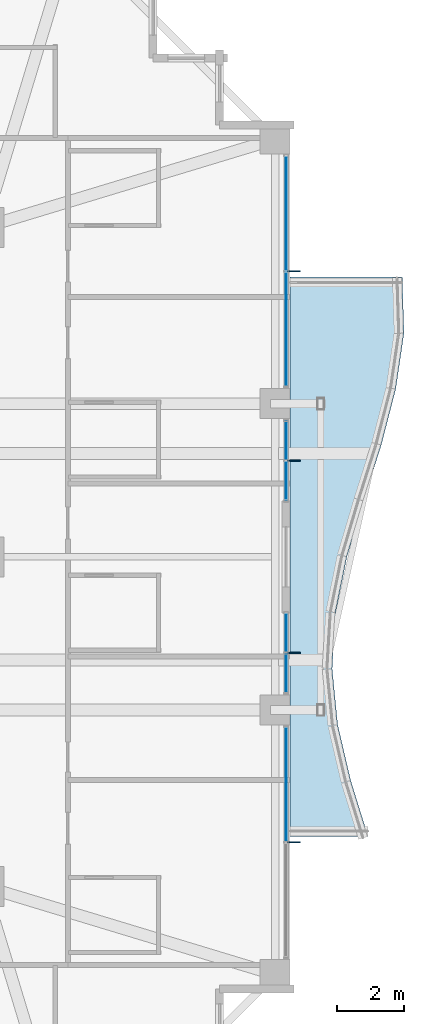
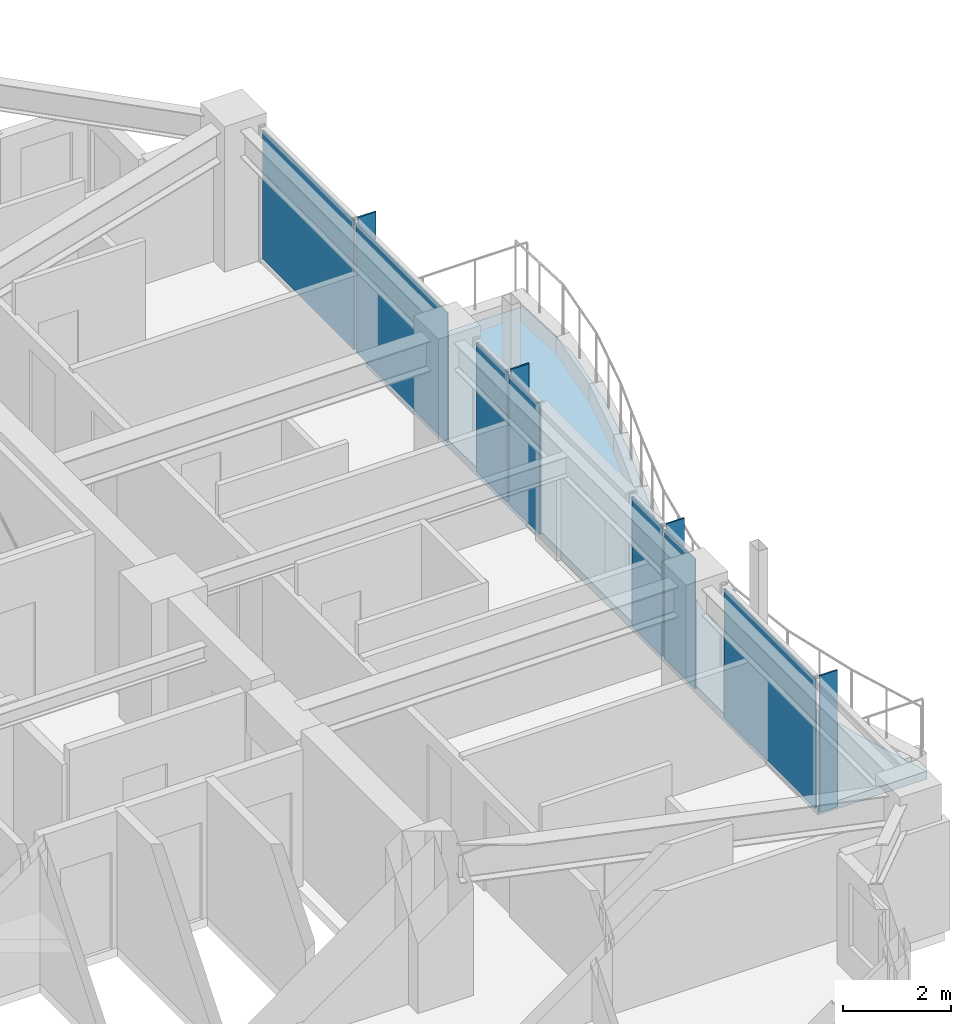
# One storey, part 28 of 37: 11 plates, 1 slab, 4 elements without a shape of their own.
"""IFC4 building model written with IfcOpenShell, lengths in metres."""

from ifc_helpers import new_model, si_unit, direction, frame, origin, origin_2d, place, context, subcontext, project, spatial, polyline, rectangle, outline, extrude, material, layer, layer_set, type_object, element, aggregate, save


model = new_model("IFC4")

# Units and contexts
model_context = context("Model", 3, precision=1e-05, world=origin(), true_north=direction((0.0, 1.0)))
body_context = subcontext(model_context, "Body", "Model", "MODEL_VIEW")
ifc_project = project(units=[si_unit("LENGTHUNIT", "METRE"), si_unit("AREAUNIT", "SQUARE_METRE"), si_unit("VOLUMEUNIT", "CUBIC_METRE"), si_unit("PLANEANGLEUNIT", "RADIAN"), si_unit("MASSUNIT", "GRAM", prefix="KILO")], contexts=[model_context])

# Site, building, storey
site_placement = place(None, origin())
site = spatial("IfcSite", under=ifc_project, at=site_placement, CompositionType="ELEMENT")
building_placement = place(site_placement, origin())
building = spatial("IfcBuilding", under=site, at=building_placement, Name="Kolvaren Belvedere", CompositionType="ELEMENT")
storey_placement = place(building_placement, frame((0.0, 0.0, 156.89990234375)))
storey = spatial("IfcBuildingStorey", under=building, at=storey_placement, Name="L45", CompositionType="ELEMENT", Elevation=156.89990234375)

# Curtain wall, plates
ifc_material_1 = material(Name="Anodised pale-metal aluminium AA 6063-T6", Category="aluminium")
curtain_wall_type = type_object("IfcCurtainWallType", Name="CW-Z3-WAIST", PredefinedType="NOTDEFINED", material=ifc_material_1)
curtain_wall_1_placement = place(storey_placement, origin())
curtain_wall_1 = element("IfcCurtainWall", 1, at=curtain_wall_1_placement, inside=storey, type_object=curtain_wall_type, Name="L45 Unitised Curtain Wall FCW-L45-E1-B1", PredefinedType="NOTDEFINED")
ifc_material_2 = material(Name="Low-iron triple insulated glass", Category="glass")
ifc_layer_1 = layer(ifc_material_2, 0.028076171875)
ifc_layer_set_1 = layer_set([ifc_layer_1], Name="Low-iron triple insulated glass")
plate_type_1 = type_object("IfcPlateType", Name="CW-PNL-VIS28", PredefinedType="CURTAIN_PANEL", material=ifc_layer_set_1)
plate_1_placement = place(storey_placement, frame((18.97998046875, 10.311279296875, 0.080078125), z_axis=(0.0, 0.0, 1.0), x_axis=(0.0, -1.0, 0.0)))
plate_1 = element("IfcPlate", 2, at=plate_1_placement, type_object=plate_type_1, Name="FCW-L45-E1-B1 Vision Glazing Panel 1", PredefinedType="CURTAIN_PANEL", context=body_context, shape_type="SweptSolid", body=[
    extrude(rectangle(XDim=3.392578125, YDim=0.028076171875, at=origin_2d()), origin(), (0.0, 0.0, 1.0), 2.93994140625),
])
plate_2_placement = place(storey_placement, frame((18.97998046875, 6.8388671875, 0.080078125), z_axis=(0.0, 0.0, 1.0), x_axis=(0.0, -1.0, 0.0)))
plate_2 = element("IfcPlate", 3, at=plate_2_placement, type_object=plate_type_1, Name="FCW-L45-E1-B1 Vision Glazing Panel 2", PredefinedType="CURTAIN_PANEL", context=body_context, shape_type="SweptSolid", body=[
    extrude(rectangle(XDim=3.392578125, YDim=0.028076171875, at=origin_2d()), origin(), (0.0, 0.0, 1.0), 2.93994140625),
])
aggregate(curtain_wall_1, [plate_1, plate_2])

curtain_wall_2_placement = place(storey_placement, origin())
curtain_wall_2 = element("IfcCurtainWall", 4, at=curtain_wall_2_placement, inside=storey, type_object=curtain_wall_type, Name="L45 Unitised Curtain Wall FCW-L45-E1-B2", PredefinedType="NOTDEFINED")
plate_3_placement = place(storey_placement, frame((18.97998046875, 3.4931640625, 0.080078125), z_axis=(0.0, 0.0, 1.0), x_axis=(0.0, -1.0, 0.0)))
plate_3 = element("IfcPlate", 5, at=plate_3_placement, type_object=plate_type_1, Name="FCW-L45-E1-B2 Vision Glazing Panel 1", PredefinedType="CURTAIN_PANEL", context=body_context, shape_type="SweptSolid", body=[
    extrude(rectangle(XDim=1.12890625, YDim=0.028076171875, at=origin_2d()), origin(), (0.0, 0.0, 1.0), 2.93994140625),
])
plate_4_placement = place(storey_placement, frame((18.97998046875, 2.284423828125, 0.080078125), z_axis=(0.0, 0.0, 1.0), x_axis=(0.0, -1.0, 0.0)))
plate_4 = element("IfcPlate", 6, at=plate_4_placement, type_object=plate_type_1, Name="FCW-L45-E1-B2 Vision Glazing Panel 2", PredefinedType="CURTAIN_PANEL", context=body_context, shape_type="SweptSolid", body=[
    extrude(rectangle(XDim=1.12890625, YDim=0.028076171875, at=origin_2d()), origin(), (0.0, 0.0, 1.0), 2.93994140625),
])
aggregate(curtain_wall_2, [plate_3, plate_4])

curtain_wall_3_placement = place(storey_placement, origin())
curtain_wall_3 = element("IfcCurtainWall", 7, at=curtain_wall_3_placement, inside=storey, type_object=curtain_wall_type, Name="L45 Unitised Curtain Wall FCW-L45-E2-B1", PredefinedType="NOTDEFINED")
plate_5_placement = place(storey_placement, frame((18.97998046875, -2.284423828125, 0.080078125), z_axis=(0.0, 0.0, 1.0), x_axis=(0.0, -1.0, 0.0)))
plate_5 = element("IfcPlate", 8, at=plate_5_placement, type_object=plate_type_1, Name="FCW-L45-E2-B1 Vision Glazing Panel 1", PredefinedType="CURTAIN_PANEL", context=body_context, shape_type="SweptSolid", body=[
    extrude(rectangle(XDim=1.12890625, YDim=0.028076171875, at=origin_2d()), origin(), (0.0, 0.0, 1.0), 2.93994140625),
])
plate_6_placement = place(storey_placement, frame((18.97998046875, -3.4931640625, 0.080078125), z_axis=(0.0, 0.0, 1.0), x_axis=(0.0, -1.0, 0.0)))
plate_6 = element("IfcPlate", 9, at=plate_6_placement, type_object=plate_type_1, Name="FCW-L45-E2-B1 Vision Glazing Panel 2", PredefinedType="CURTAIN_PANEL", context=body_context, shape_type="SweptSolid", body=[
    extrude(rectangle(XDim=1.12890625, YDim=0.028076171875, at=origin_2d()), origin(), (0.0, 0.0, 1.0), 2.93994140625),
])
aggregate(curtain_wall_3, [plate_5, plate_6])

# Curtain wall, plate
curtain_wall_4_placement = place(storey_placement, origin())
curtain_wall_4 = element("IfcCurtainWall", 10, at=curtain_wall_4_placement, inside=storey, type_object=curtain_wall_type, Name="L45 Unitised Curtain Wall FCW-L45-E2-B2", PredefinedType="NOTDEFINED")
plate_7_placement = place(storey_placement, frame((18.97998046875, -6.8388671875, 0.080078125), z_axis=(0.0, 0.0, 1.0), x_axis=(0.0, -1.0, 0.0)))
plate_7 = element("IfcPlate", 11, at=plate_7_placement, type_object=plate_type_1, Name="FCW-L45-E2-B2 Vision Glazing Panel 1", PredefinedType="CURTAIN_PANEL", context=body_context, shape_type="SweptSolid", body=[
    extrude(rectangle(XDim=3.392578125, YDim=0.028076171875, at=origin_2d()), origin(), (0.0, 0.0, 1.0), 2.93994140625),
])
aggregate(curtain_wall_4, [plate_7])

# Plates
ifc_material_3 = material(Name="Anodised pale-metal aluminium AA 6063-T6", Category="aluminium")
ifc_layer_2 = layer(ifc_material_3, 0.033935546875)
ifc_layer_set_2 = layer_set([ifc_layer_2], Name="Anodised pale-metal aluminium AA 6063-T6")
plate_type_2 = type_object("IfcPlateType", Name="FIN-VERT-380", PredefinedType="USERDEFINED", material=ifc_layer_set_2)
for number, where, z_axis, x_axis, name in (
    (12, (19.219970703125, 8.574951171875, 0.0), (0.0, 0.0, 1.0), (1.0, 0.0, 0.0), "L45 Pale-Metal Vertical Shading Fin FCW-L45-E1-B1-1"),
    (13, (19.219970703125, 2.888671875, 0.0), (0.0, 0.0, 1.0), (1.0, 0.0, 0.0), "L45 Pale-Metal Vertical Shading Fin FCW-L45-E1-B2-1"),
    (14, (19.219970703125, -2.888671875, 0.0), (0.0, 0.0, 1.0), (1.0, 0.0, 0.0), "L45 Pale-Metal Vertical Shading Fin FCW-L45-E2-B1-1"),
    (15, (19.219970703125, -8.574951171875, 0.0), (0.0, 0.0, 1.0), (1.0, 0.0, 0.0), "L45 Pale-Metal Vertical Shading Fin FCW-L45-E2-B2-1"),
):
    element("IfcPlate", number, at=place(storey_placement, frame(where, z_axis=z_axis, x_axis=x_axis)), inside=storey, type_object=plate_type_2, Name=name, ObjectType="VERTICAL FIN", PredefinedType="USERDEFINED", context=body_context, shape_type="SweptSolid", body=[
        extrude(rectangle(XDim=0.3798828125, YDim=0.033935546875, at=origin_2d()), origin(), (0.0, 0.0, 1.0), 3.10009765625),
    ])

# Slab
ifc_material_4 = material(Name="Concrete C50/60", Category="concrete")
ifc_layer_3 = layer(ifc_material_4, 0.179931640625)
ifc_layer_set_3 = layer_set([ifc_layer_3], Name="Concrete C50/60")
slab_type = type_object("IfcSlabType", Name="SL-BAL-180", PredefinedType="FLOOR", material=ifc_layer_set_3)
slab_placement = place(storey_placement, frame((0.0, 0.0, -0.199951171875)))
element("IfcSlab", 16, at=slab_placement, inside=storey, type_object=slab_type, Name="L45 Planted Balcony BAL-E", PredefinedType="FLOOR", context=body_context, shape_type="SweptSolid", body=[
    extrude(outline(polyline([(21.43994140625, -8.39990234375), (20.919677734375, -6.719970703125), (20.528076171875, -5.0400390625), (20.362060546875, -3.360107421875), (20.462890625, -1.679931640625), (20.80517578125, 0.0), (21.3046875, 1.679931640625), (21.837646484375, 3.360107421875), (22.272216796875, 5.0400390625), (22.52001953125, 6.719970703125), (22.467041015625, 8.39990234375), (19.10009765625, 8.39990234375), (19.10009765625, 6.719970703125), (19.10009765625, 5.0400390625), (19.10009765625, 3.360107421875), (19.10009765625, 1.679931640625), (19.10009765625, 0.0), (19.10009765625, -1.679931640625), (19.10009765625, -3.360107421875), (19.10009765625, -5.0400390625), (19.10009765625, -6.719970703125), (19.10009765625, -8.39990234375), (21.43994140625, -8.39990234375)])), origin(), (0.0, 0.0, 1.0), 0.179931640625),
])

save(model, "model.ifc")
